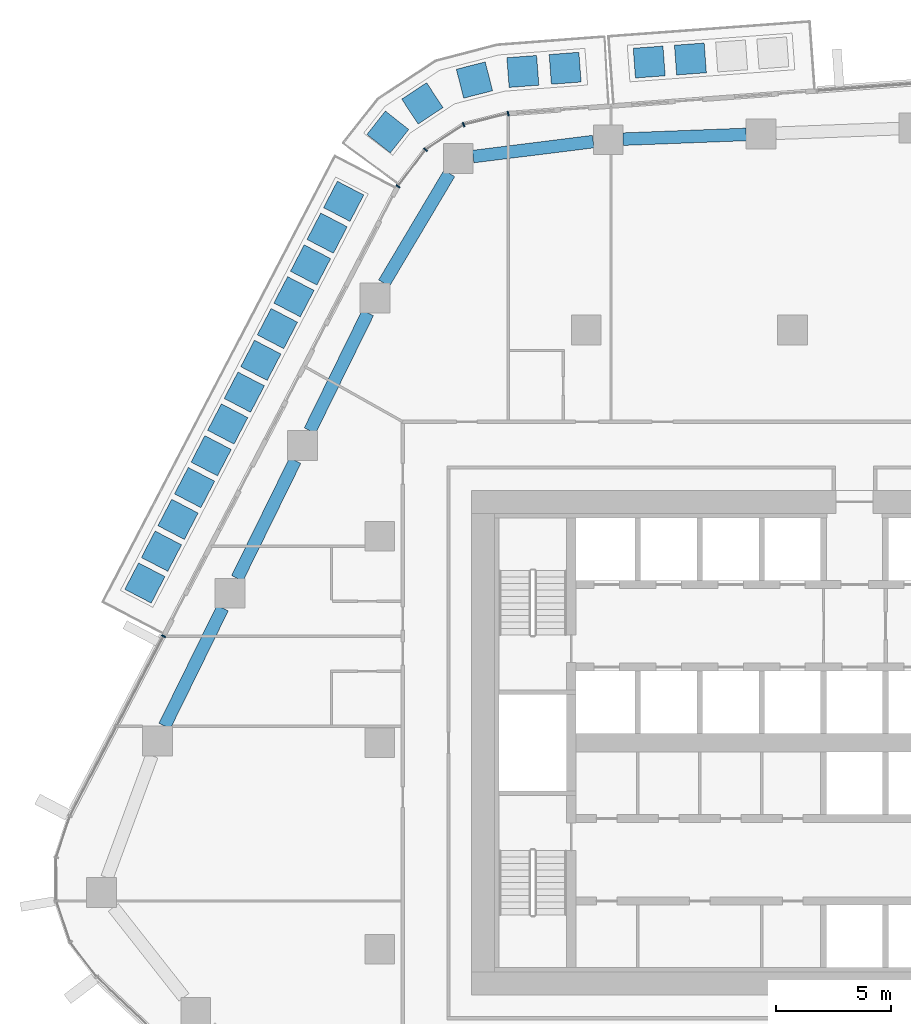
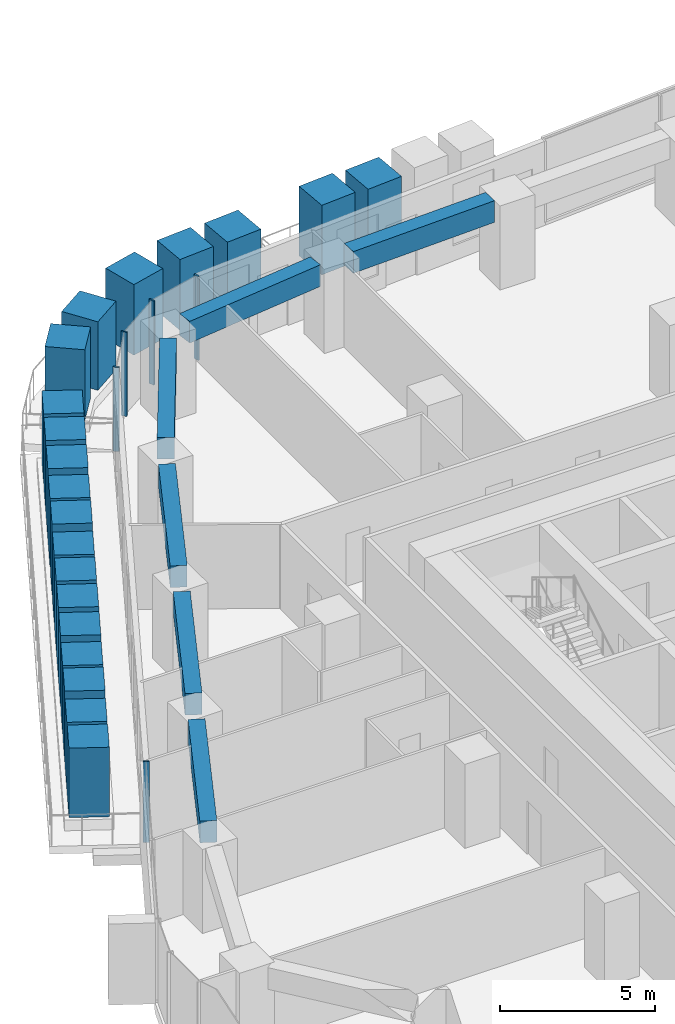
# One storey, part 6 of 23: 25 members, 6 beams, 2 elements without a shape of their own.
"""IFC4 building model written with IfcOpenShell, lengths in metres."""

from ifc_helpers import new_model, si_unit, direction, frame, origin, origin_2d, place, context, subcontext, project, spatial, rectangle, extrude, material, layer, layer_set, material_profile, profile_set, type_object, element, aggregate, save


model = new_model("IFC4")

# Units and contexts
model_context = context("Model", 3, precision=1e-05, world=origin(), true_north=direction((0.0, 1.0)))
body_context = subcontext(model_context, "Body", "Model", "MODEL_VIEW")
ifc_project = project(units=[si_unit("LENGTHUNIT", "METRE"), si_unit("AREAUNIT", "SQUARE_METRE"), si_unit("VOLUMEUNIT", "CUBIC_METRE"), si_unit("PLANEANGLEUNIT", "RADIAN"), si_unit("MASSUNIT", "GRAM", prefix="KILO")], contexts=[model_context])

# Site, building, storey
site_placement = place(None, origin())
site = spatial("IfcSite", under=ifc_project, at=site_placement, CompositionType="ELEMENT")
building_placement = place(site_placement, origin())
building = spatial("IfcBuilding", under=site, at=building_placement, Name="Dongbaek Canopy Tower", CompositionType="ELEMENT")
storey_placement = place(building_placement, frame((0.0, 0.0, 132.199951171875)))
storey = spatial("IfcBuildingStorey", under=building, at=storey_placement, Name="L29", CompositionType="ELEMENT", Elevation=132.199951171875)

# Curtain wall, members
ifc_material_1 = material(Name="Aluminium 6063-T6 pale anodised", Category="aluminium")
ifc_layer = layer(ifc_material_1, 0.199951171875)
ifc_layer_set = layer_set([ifc_layer], Name="CW-1 unitised tower curtain wall")
curtain_wall_type = type_object("IfcCurtainWallType", Name="CW-1 unitised tower curtain wall", PredefinedType="NOTDEFINED", material=ifc_layer_set)
curtain_wall_1_placement = place(storey_placement, origin())
curtain_wall_1 = element("IfcCurtainWall", 1, at=curtain_wall_1_placement, inside=storey, type_object=curtain_wall_type, Name="CW-1 curtain wall K2.1", PredefinedType="NOTDEFINED")
ifc_material_2 = material(Name="Aluminium 6063-T6 pale anodised", Category="aluminium")
ifc_material_profile_1 = material_profile(ifc_material_2, rectangle(XDim=0.199951171875, YDim=0.06005859375, at=origin_2d()), Name="CW-1 mullion 60 x 200")
ifc_profile_set_1 = profile_set([ifc_material_profile_1], Name="Aluminium 6063-T6 pale anodised")
member_type_1 = type_object("IfcMemberType", Name="CW-1 mullion 60 x 200", PredefinedType="MULLION", material=ifc_profile_set_1)
member_1_placement = place(storey_placement, frame((-12.398681640625, 27.426513671875, 0.0), z_axis=(0.0, 0.0, 1.0), x_axis=(-0.240708808634, 0.970597377622, 0.0)))
member_1 = element("IfcMember", 2, at=member_1_placement, type_object=member_type_1, Name="CW-1 mullion K2.1.1", PredefinedType="MULLION", context=body_context, shape_type="SweptSolid", body=[
    extrude(rectangle(XDim=0.199951171875, YDim=0.06005859375, at=origin_2d()), origin(), (0.0, 0.0, 1.0), 3.300048828125),
])
member_2_placement = place(storey_placement, frame((-14.338623046875, 26.945556640625, 0.0), z_axis=(0.0, 0.0, 1.0), x_axis=(-0.400998527183, 0.916078698146, 0.0)))
member_2 = element("IfcMember", 3, at=member_2_placement, type_object=member_type_1, Name="CW-1 mullion K2.1.2", PredefinedType="MULLION", context=body_context, shape_type="SweptSolid", body=[
    extrude(rectangle(XDim=0.199951171875, YDim=0.06005859375, at=origin_2d()), origin(), (0.0, 0.0, 1.0), 3.300048828125),
])
member_3_placement = place(storey_placement, frame((-16.0009765625, 25.851318359375, 0.0), z_axis=(0.0, 0.0, 1.0), x_axis=(-0.682828776923, 0.730578443021, 0.0)))
member_3 = element("IfcMember", 4, at=member_3_placement, type_object=member_type_1, Name="CW-1 mullion K2.1.3", PredefinedType="MULLION", context=body_context, shape_type="SweptSolid", body=[
    extrude(rectangle(XDim=0.199951171875, YDim=0.06005859375, at=origin_2d()), origin(), (0.0, 0.0, 1.0), 3.300048828125),
])
member_4_placement = place(storey_placement, frame((-17.210205078125, 24.259765625, 0.0), z_axis=(0.0, 0.0, 1.0), x_axis=(-0.796290621364, 0.604914247086, 0.0)))
member_4 = element("IfcMember", 5, at=member_4_placement, type_object=member_type_1, Name="CW-1 mullion K2.1.4", PredefinedType="MULLION", context=body_context, shape_type="SweptSolid", body=[
    extrude(rectangle(XDim=0.199951171875, YDim=0.06005859375, at=origin_2d()), origin(), (0.0, 0.0, 1.0), 3.300048828125),
])
aggregate(curtain_wall_1, [member_1, member_2, member_3, member_4])

# Curtain wall, member
curtain_wall_2_placement = place(storey_placement, origin())
curtain_wall_2 = element("IfcCurtainWall", 6, at=curtain_wall_2_placement, inside=storey, type_object=curtain_wall_type, Name="CW-1 curtain wall F2.1", PredefinedType="NOTDEFINED")
member_5_placement = place(storey_placement, frame((-27.42431640625, 4.64697265625, 0.1201171875), z_axis=(0.0, 0.0, 1.0), x_axis=(-0.886926731215, 0.461910135693, 0.0)))
member_5 = element("IfcMember", 7, at=member_5_placement, type_object=member_type_1, Name="CW-1 mullion F2.1.1", PredefinedType="MULLION", context=body_context, shape_type="SweptSolid", body=[
    extrude(rectangle(XDim=0.199951171875, YDim=0.06005859375, at=origin_2d()), origin(), (0.0, 0.0, 1.0), 3.179931640625),
])
aggregate(curtain_wall_2, [member_5])

# Beams
ifc_material_3 = material(Name="Concrete C80", Category="concrete")
ifc_material_profile_2 = material_profile(ifc_material_3, rectangle(XDim=0.550048828125, YDim=0.85009765625, at=origin_2d()), Name="RC EDGE BEAM 550x850 C80")
ifc_profile_set_2 = profile_set([ifc_material_profile_2], Name="Concrete C80")
beam_type = type_object("IfcBeamType", Name="RC EDGE BEAM 550x850 C80", PredefinedType="BEAM", material=ifc_profile_set_2)
beam_1_placement = place(storey_placement, frame((-27.373291015625, 0.73291015625, 2.875), z_axis=(0.441213203353, 0.89740231178, 0.0), x_axis=(-0.89740231178, 0.441213203353, 0.0)))
element("IfcBeam", 8, at=beam_1_placement, inside=storey, type_object=beam_type, Name="EDGEBEAM:L29:09", PredefinedType="BEAM", context=body_context, shape_type="SweptSolid", body=[
    extrude(rectangle(XDim=0.550048828125, YDim=0.85009765625, at=origin_2d()), origin(), (0.0, 0.0, 1.0), 5.72216796875),
])
beam_2_placement = place(storey_placement, frame((-24.209228515625, 7.16796875, 2.875), z_axis=(0.441418224378, 0.897301482885, 0.0), x_axis=(-0.897301482885, 0.441418224378, 0.0)))
element("IfcBeam", 9, at=beam_2_placement, inside=storey, type_object=beam_type, Name="EDGEBEAM:L29:10", PredefinedType="BEAM", context=body_context, shape_type="SweptSolid", body=[
    extrude(rectangle(XDim=0.550048828125, YDim=0.85009765625, at=origin_2d()), origin(), (0.0, 0.0, 1.0), 5.7216796875),
])
beam_3_placement = place(storey_placement, frame((-21.044189453125, 13.60205078125, 2.875), z_axis=(0.441383867887, 0.89731838339, 0.0), x_axis=(-0.89731838339, 0.441383867887, 0.0)))
element("IfcBeam", 10, at=beam_3_placement, inside=storey, type_object=beam_type, Name="EDGEBEAM:L29:11", PredefinedType="BEAM", context=body_context, shape_type="SweptSolid", body=[
    extrude(rectangle(XDim=0.550048828125, YDim=0.85009765625, at=origin_2d()), origin(), (0.0, 0.0, 1.0), 5.721435546875),
])
beam_4_placement = place(storey_placement, frame((-17.81201171875, 20.035888671875, 2.875), z_axis=(0.511514682827, 0.859274536602, 0.0), x_axis=(-0.859274536602, 0.511514682827, 0.0)))
element("IfcBeam", 11, at=beam_4_placement, inside=storey, type_object=beam_type, Name="EDGEBEAM:L29:12", PredefinedType="BEAM", context=body_context, shape_type="SweptSolid", body=[
    extrude(rectangle(XDim=0.550048828125, YDim=0.85009765625, at=origin_2d()), origin(), (0.0, 0.0, 1.0), 5.570068359375),
])
beam_5_placement = place(storey_placement, frame((-13.926025390625, 25.55322265625, 2.875), z_axis=(0.992297087152, 0.123880954265, 0.0), x_axis=(-0.123880954265, 0.992297087152, 0.0)))
element("IfcBeam", 12, at=beam_5_placement, inside=storey, type_object=beam_type, Name="EDGEBEAM:L29:13", PredefinedType="BEAM", context=body_context, shape_type="SweptSolid", body=[
    extrude(rectangle(XDim=0.550048828125, YDim=0.85009765625, at=origin_2d()), origin(), (0.0, 0.0, 1.0), 5.275634765625),
])
beam_6_placement = place(storey_placement, frame((-7.39111328125, 26.31298828125, 2.875), z_axis=(0.999264392696, 0.038349361015, 0.0), x_axis=(-0.038349361015, 0.999264392696, 0.0)))
element("IfcBeam", 13, at=beam_6_placement, inside=storey, type_object=beam_type, Name="EDGEBEAM:L29:14", PredefinedType="BEAM", context=body_context, shape_type="SweptSolid", body=[
    extrude(rectangle(XDim=0.550048828125, YDim=0.85009765625, at=origin_2d()), origin(), (0.0, 0.0, 1.0), 5.373046875),
])

# Members
ifc_material_4 = material(Name="Concrete C40/50 planter mass with planting", Category="concrete")
ifc_material_profile_3 = material_profile(ifc_material_4, rectangle(XDim=1.300048828125, YDim=1.300048828125, at=origin_2d()), Name="Terrace PLANTER shrub mass 1300 x 1300")
ifc_profile_set_3 = profile_set([ifc_material_profile_3], Name="Concrete C40/50 planter mass with planting")
member_type_2 = type_object("IfcMemberType", Name="Terrace PLANTER shrub mass 1300 x 1300", PredefinedType="USERDEFINED", material=ifc_profile_set_3)
member_6_placement = place(storey_placement, frame((-4.455810546875, 29.806884765625, 0.420166015625), z_axis=(0.0, 0.0, 1.0), x_axis=(-0.073519152761, 0.997293805344, 0.0)))
element("IfcMember", 14, at=member_6_placement, inside=storey, type_object=member_type_2, Name="Planter shrubs L29 1.3", ObjectType="PLANTER", PredefinedType="USERDEFINED", context=body_context, shape_type="SweptSolid", body=[
    extrude(rectangle(XDim=1.300048828125, YDim=1.300048828125, at=origin_2d()), origin(), (0.0, 0.0, 1.0), 2.64990234375),
])
for number, where, z_axis, x_axis, name in (
    (15, (-6.252197265625, 29.674560546875, 0.420166015625), (0.0, 0.0, 1.0), (-0.073519152761, 0.997293805344, 0.0), "Planter shrubs L29 1.4"),
    (16, (-9.916748046875, 29.40283203125, 0.420166015625), (0.0, 0.0, 1.0), (-0.075155999946, 0.997171788446, 0.0), "Planter shrubs L29 6.1"),
):
    element("IfcMember", number, at=place(storey_placement, frame(where, z_axis=z_axis, x_axis=x_axis)), inside=storey, type_object=member_type_2, Name=name, ObjectType="PLANTER", PredefinedType="USERDEFINED", context=body_context, shape_type="SweptSolid", body=[
        extrude(rectangle(XDim=1.300048828125, YDim=1.300048828125, at=origin_2d()), origin(), (0.0, 0.0, 1.0), 2.72998046875),
    ])
member_7_placement = place(storey_placement, frame((-11.759521484375, 29.263916015625, 0.420166015625), z_axis=(0.0, 0.0, 1.0), x_axis=(-0.075155999946, 0.997171788446, 0.0)))
element("IfcMember", 17, at=member_7_placement, inside=storey, type_object=member_type_2, Name="Planter shrubs L29 6.2", ObjectType="PLANTER", PredefinedType="USERDEFINED", context=body_context, shape_type="SweptSolid", body=[
    extrude(rectangle(XDim=1.300048828125, YDim=1.300048828125, at=origin_2d()), origin(), (0.0, 0.0, 1.0), 2.77978515625),
])
member_8_placement = place(storey_placement, frame((-13.868896484375, 28.890625, 0.420166015625), z_axis=(0.0, 0.0, 1.0), x_axis=(-0.247887054408, 0.968788938963, 0.0)))
element("IfcMember", 18, at=member_8_placement, inside=storey, type_object=member_type_2, Name="Planter shrubs L29 6.3", ObjectType="PLANTER", PredefinedType="USERDEFINED", context=body_context, shape_type="SweptSolid", body=[
    extrude(rectangle(XDim=1.300048828125, YDim=1.300048828125, at=origin_2d()), origin(), (0.0, 0.0, 1.0), 2.769775390625),
])
member_9_placement = place(storey_placement, frame((-16.140625, 27.873291015625, 0.420166015625), z_axis=(0.0, 0.0, 1.0), x_axis=(-0.549793590756, 0.835300549242, 0.0)))
element("IfcMember", 19, at=member_9_placement, inside=storey, type_object=member_type_2, Name="Planter shrubs L29 6.4", ObjectType="PLANTER", PredefinedType="USERDEFINED", context=body_context, shape_type="SweptSolid", body=[
    extrude(rectangle(XDim=1.300048828125, YDim=1.300048828125, at=origin_2d()), origin(), (0.0, 0.0, 1.0), 2.68994140625),
])
member_10_placement = place(storey_placement, frame((-17.64501953125, 26.626220703125, 0.420166015625), z_axis=(0.0, 0.0, 1.0), x_axis=(-0.785388328656, 0.619003370921, 0.0)))
element("IfcMember", 20, at=member_10_placement, inside=storey, type_object=member_type_2, Name="Planter shrubs L29 6.5", ObjectType="PLANTER", PredefinedType="USERDEFINED", context=body_context, shape_type="SweptSolid", body=[
    extrude(rectangle(XDim=1.300048828125, YDim=1.300048828125, at=origin_2d()), origin(), (0.0, 0.0, 1.0), 2.77978515625),
])
member_11_placement = place(storey_placement, frame((-19.570556640625, 23.6025390625, 0.420166015625), z_axis=(0.0, 0.0, 1.0), x_axis=(-0.886926731215, 0.461910135693, 0.0)))
element("IfcMember", 21, at=member_11_placement, inside=storey, type_object=member_type_2, Name="Planter shrubs L29 2.1", ObjectType="PLANTER", PredefinedType="USERDEFINED", context=body_context, shape_type="SweptSolid", body=[
    extrude(rectangle(XDim=1.300048828125, YDim=1.300048828125, at=origin_2d()), origin(), (0.0, 0.0, 1.0), 2.72998046875),
])
member_12_placement = place(storey_placement, frame((-20.292724609375, 22.216064453125, 0.420166015625), z_axis=(0.0, 0.0, 1.0), x_axis=(-0.886926731215, 0.461910135693, 0.0)))
element("IfcMember", 22, at=member_12_placement, inside=storey, type_object=member_type_2, Name="Planter shrubs L29 2.2", ObjectType="PLANTER", PredefinedType="USERDEFINED", context=body_context, shape_type="SweptSolid", body=[
    extrude(rectangle(XDim=1.300048828125, YDim=1.300048828125, at=origin_2d()), origin(), (0.0, 0.0, 1.0), 2.77978515625),
])
member_13_placement = place(storey_placement, frame((-21.0146484375, 20.82958984375, 0.420166015625), z_axis=(0.0, 0.0, 1.0), x_axis=(-0.886926731215, 0.461910135693, 0.0)))
element("IfcMember", 23, at=member_13_placement, inside=storey, type_object=member_type_2, Name="Planter shrubs L29 2.3", ObjectType="PLANTER", PredefinedType="USERDEFINED", context=body_context, shape_type="SweptSolid", body=[
    extrude(rectangle(XDim=1.300048828125, YDim=1.300048828125, at=origin_2d()), origin(), (0.0, 0.0, 1.0), 2.769775390625),
])
member_14_placement = place(storey_placement, frame((-21.73681640625, 19.443359375, 0.420166015625), z_axis=(0.0, 0.0, 1.0), x_axis=(-0.886926731215, 0.461910135693, 0.0)))
element("IfcMember", 24, at=member_14_placement, inside=storey, type_object=member_type_2, Name="Planter shrubs L29 2.4", ObjectType="PLANTER", PredefinedType="USERDEFINED", context=body_context, shape_type="SweptSolid", body=[
    extrude(rectangle(XDim=1.300048828125, YDim=1.300048828125, at=origin_2d()), origin(), (0.0, 0.0, 1.0), 2.68994140625),
])
member_15_placement = place(storey_placement, frame((-22.458740234375, 18.056884765625, 0.420166015625), z_axis=(0.0, 0.0, 1.0), x_axis=(-0.886926731215, 0.461910135693, 0.0)))
element("IfcMember", 25, at=member_15_placement, inside=storey, type_object=member_type_2, Name="Planter shrubs L29 2.5", ObjectType="PLANTER", PredefinedType="USERDEFINED", context=body_context, shape_type="SweptSolid", body=[
    extrude(rectangle(XDim=1.300048828125, YDim=1.300048828125, at=origin_2d()), origin(), (0.0, 0.0, 1.0), 2.77978515625),
])
member_16_placement = place(storey_placement, frame((-23.180908203125, 16.67041015625, 0.420166015625), z_axis=(0.0, 0.0, 1.0), x_axis=(-0.886926731215, 0.461910135693, 0.0)))
element("IfcMember", 26, at=member_16_placement, inside=storey, type_object=member_type_2, Name="Planter shrubs L29 2.6", ObjectType="PLANTER", PredefinedType="USERDEFINED", context=body_context, shape_type="SweptSolid", body=[
    extrude(rectangle(XDim=1.300048828125, YDim=1.300048828125, at=origin_2d()), origin(), (0.0, 0.0, 1.0), 2.64990234375),
])
member_17_placement = place(storey_placement, frame((-23.90283203125, 15.283935546875, 0.420166015625), z_axis=(0.0, 0.0, 1.0), x_axis=(-0.886926731215, 0.461910135693, 0.0)))
element("IfcMember", 27, at=member_17_placement, inside=storey, type_object=member_type_2, Name="Planter shrubs L29 2.7", ObjectType="PLANTER", PredefinedType="USERDEFINED", context=body_context, shape_type="SweptSolid", body=[
    extrude(rectangle(XDim=1.300048828125, YDim=1.300048828125, at=origin_2d()), origin(), (0.0, 0.0, 1.0), 2.72998046875),
])
member_18_placement = place(storey_placement, frame((-24.625, 13.8974609375, 0.420166015625), z_axis=(0.0, 0.0, 1.0), x_axis=(-0.886926731215, 0.461910135693, 0.0)))
element("IfcMember", 28, at=member_18_placement, inside=storey, type_object=member_type_2, Name="Planter shrubs L29 2.8", ObjectType="PLANTER", PredefinedType="USERDEFINED", context=body_context, shape_type="SweptSolid", body=[
    extrude(rectangle(XDim=1.300048828125, YDim=1.300048828125, at=origin_2d()), origin(), (0.0, 0.0, 1.0), 2.77978515625),
])
member_19_placement = place(storey_placement, frame((-25.346923828125, 12.510986328125, 0.420166015625), z_axis=(0.0, 0.0, 1.0), x_axis=(-0.886926731215, 0.461910135693, 0.0)))
element("IfcMember", 29, at=member_19_placement, inside=storey, type_object=member_type_2, Name="Planter shrubs L29 2.9", ObjectType="PLANTER", PredefinedType="USERDEFINED", context=body_context, shape_type="SweptSolid", body=[
    extrude(rectangle(XDim=1.300048828125, YDim=1.300048828125, at=origin_2d()), origin(), (0.0, 0.0, 1.0), 2.769775390625),
])
member_20_placement = place(storey_placement, frame((-26.069091796875, 11.12451171875, 0.420166015625), z_axis=(0.0, 0.0, 1.0), x_axis=(-0.886926731215, 0.461910135693, 0.0)))
element("IfcMember", 30, at=member_20_placement, inside=storey, type_object=member_type_2, Name="Planter shrubs L29 2.10", ObjectType="PLANTER", PredefinedType="USERDEFINED", context=body_context, shape_type="SweptSolid", body=[
    extrude(rectangle(XDim=1.300048828125, YDim=1.300048828125, at=origin_2d()), origin(), (0.0, 0.0, 1.0), 2.68994140625),
])
member_21_placement = place(storey_placement, frame((-26.791015625, 9.73828125, 0.420166015625), z_axis=(0.0, 0.0, 1.0), x_axis=(-0.886926731215, 0.461910135693, 0.0)))
element("IfcMember", 31, at=member_21_placement, inside=storey, type_object=member_type_2, Name="Planter shrubs L29 2.11", ObjectType="PLANTER", PredefinedType="USERDEFINED", context=body_context, shape_type="SweptSolid", body=[
    extrude(rectangle(XDim=1.300048828125, YDim=1.300048828125, at=origin_2d()), origin(), (0.0, 0.0, 1.0), 2.77978515625),
])
member_22_placement = place(storey_placement, frame((-27.51318359375, 8.351806640625, 0.420166015625), z_axis=(0.0, 0.0, 1.0), x_axis=(-0.886926731215, 0.461910135693, 0.0)))
element("IfcMember", 32, at=member_22_placement, inside=storey, type_object=member_type_2, Name="Planter shrubs L29 2.12", ObjectType="PLANTER", PredefinedType="USERDEFINED", context=body_context, shape_type="SweptSolid", body=[
    extrude(rectangle(XDim=1.300048828125, YDim=1.300048828125, at=origin_2d()), origin(), (0.0, 0.0, 1.0), 2.64990234375),
])
member_23_placement = place(storey_placement, frame((-28.235107421875, 6.96533203125, 0.420166015625), z_axis=(0.0, 0.0, 1.0), x_axis=(-0.886926731215, 0.461910135693, 0.0)))
element("IfcMember", 33, at=member_23_placement, inside=storey, type_object=member_type_2, Name="Planter shrubs L29 2.13", ObjectType="PLANTER", PredefinedType="USERDEFINED", context=body_context, shape_type="SweptSolid", body=[
    extrude(rectangle(XDim=1.300048828125, YDim=1.300048828125, at=origin_2d()), origin(), (0.0, 0.0, 1.0), 2.72998046875),
])

save(model, "model.ifc")
